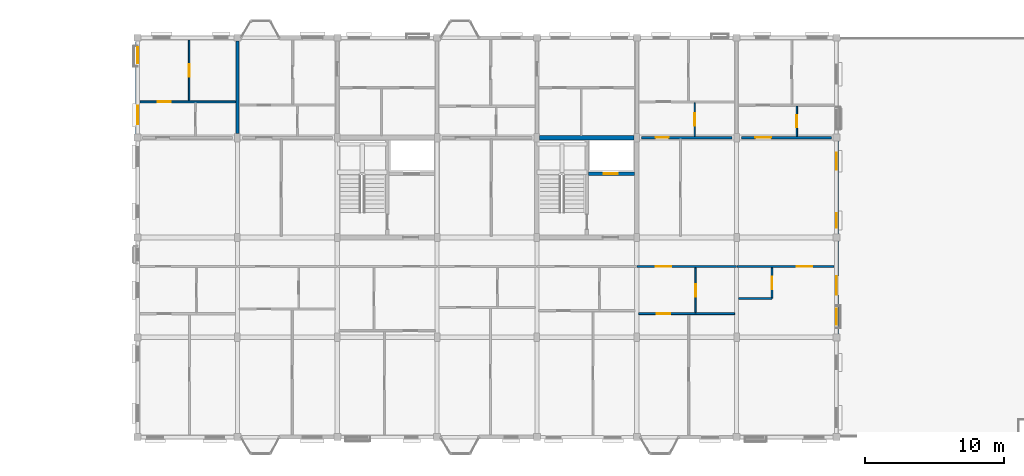
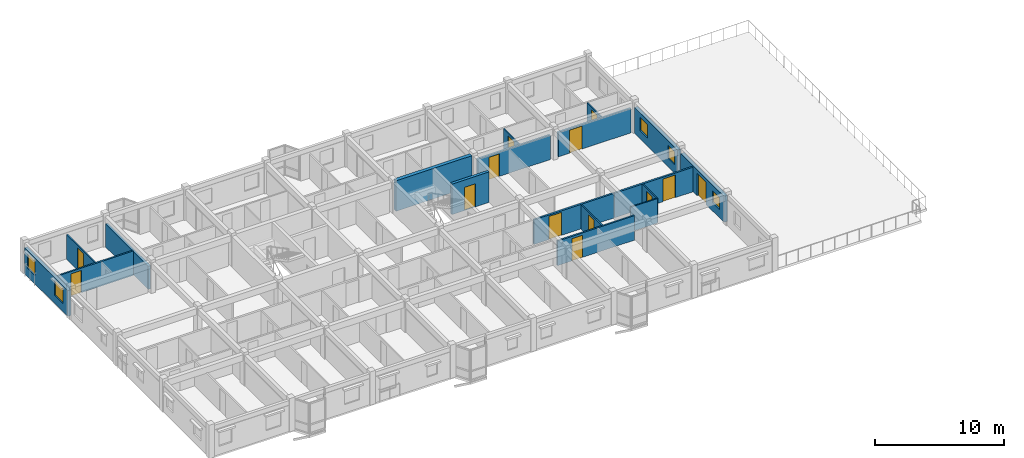
# One storey, part 55 of 64: 18 walls, 13 doors, 5 windows, 18 openings.
"""IFC4 building model written with IfcOpenShell, lengths in metres."""

from ifc_helpers import new_model, si_unit, direction, frame, frame_2d, origin, place, context, subcontext, project, spatial, rectangle, extrude, material, layer, layer_set, type_object, element, fill, save


model = new_model("IFC4")

# Units and contexts
model_context = context("Model", 3, precision=1e-05, world=origin(), true_north=direction((0.0, 1.0)))
body_context = subcontext(model_context, "Body", "Model", "MODEL_VIEW")
ifc_project = project(units=[si_unit("LENGTHUNIT", "METRE"), si_unit("AREAUNIT", "SQUARE_METRE"), si_unit("VOLUMEUNIT", "CUBIC_METRE"), si_unit("PLANEANGLEUNIT", "RADIAN"), si_unit("MASSUNIT", "GRAM", prefix="KILO"), si_unit("THERMODYNAMICTEMPERATUREUNIT", "KELVIN"), si_unit("POWERUNIT", "WATT")], contexts=[model_context])

# Site, building, storey
site_placement = place(None, origin())
site = spatial("IfcSite", under=ifc_project, at=site_placement, CompositionType="ELEMENT")
building_placement = place(site_placement, origin())
building = spatial("IfcBuilding", under=site, at=building_placement, Name="Tavuni Mirador Residences", CompositionType="ELEMENT")
storey_placement = place(building_placement, frame((0.0, 0.0, 26.550048828125)))
storey = spatial("IfcBuildingStorey", under=building, at=storey_placement, Name="L08", CompositionType="ELEMENT", Elevation=26.550048828125)

# Wall, opening, door
ifc_material_1 = material(Name="Precast concrete C40/50", Category="concrete")
ifc_layer_1 = layer(ifc_material_1, 0.25, Name="Precast concrete C40/50", Category="concrete")
ifc_layer_set_1 = layer_set([ifc_layer_1], Name="Precast concrete C40/50")
wall_type_1 = type_object("IfcWallType", Name="WT-COR250", PredefinedType="SHEAR", material=ifc_layer_set_1)
wall_1_placement = place(storey_placement, frame((43.324951171875, 163.0, 0.0), z_axis=(0.0, 0.0, 1.0), x_axis=(1.0, 0.0, 0.0)))
wall_1 = element("IfcWall", 1, at=wall_1_placement, inside=storey, type_object=wall_type_1, Name="CWALL-C6-L08-SHF", PredefinedType="SHEAR", context=body_context, shape_type="SweptSolid", body=[
    extrude(rectangle(XDim=3.31494140625, YDim=0.25, at=frame_2d((1.657470703125, 0.0))), origin(), (0.0, 0.0, 1.0), 2.885009765625),
])
opening_1_placement = place(wall_1_placement, frame((1.10009765625, 0.0, 0.0)))
opening_1 = element("IfcOpeningElement", 2, at=opening_1_placement, cuts=wall_1, Name="Opening LD-02", PredefinedType="OPENING", context=body_context, shape_type="SweptSolid", body=[
    extrude(rectangle(XDim=1.0, YDim=2.199951171875, at=frame_2d((0.5, 1.10009765625))), frame((0.0, 0.135009765625, 0.0), z_axis=(0.0, -1.0, 0.0), x_axis=(1.0, 0.0, 0.0)), (0.0, 0.0, 1.0), 0.27001953125),
])
ifc_material_2 = material(Name="Structural steel S355", Category="steel")
door_type_1 = type_object("IfcDoorType", Name="DT-LD-PAX", OperationType="SLIDING_TO_LEFT", PredefinedType="DOOR", material=ifc_material_2)
door_1_placement = place(opening_1_placement, origin())
door_1 = element("IfcDoor", 3, at=door_1_placement, inside=storey, type_object=door_type_1, Name="Lift landing door PL-C1 L08", OperationType="SLIDING_TO_LEFT", OverallHeight=2.199951171875, OverallWidth=1.0, PredefinedType="DOOR", context=body_context, shape_type="SweptSolid", body=[
    extrude(rectangle(XDim=1.0, YDim=2.199951171875, at=frame_2d((0.5, 1.10009765625))), frame((0.0, 0.02490234375, 0.0), z_axis=(0.0, -1.0, 0.0), x_axis=(1.0, 0.0, 0.0)), (0.0, 0.0, 1.0), 0.050048828125),
])
fill(opening_1, door_1)

# Wall
ifc_layer_2 = layer(ifc_material_1, 0.320068359375, Name="Precast concrete C40/50", Category="concrete")
ifc_layer_set_2 = layer_set([ifc_layer_2], Name="Precast concrete C40/50")
wall_type_2 = type_object("IfcWallType", Name="WT-COR320", PredefinedType="SHEAR", material=ifc_layer_set_2)
wall_2_placement = place(storey_placement, frame((39.800048828125, 165.60009765625, 0.0), z_axis=(0.0, 0.0, 1.0), x_axis=(1.0, 0.0, 0.0)))
element("IfcWall", 4, at=wall_2_placement, inside=storey, type_object=wall_type_2, Name="CWALL-C6-L08-N", PredefinedType="SHEAR", context=body_context, shape_type="SweptSolid", body=[
    extrude(rectangle(XDim=6.800048828125, YDim=0.320068359375, at=frame_2d((3.39990234375, 0.0))), origin(), (0.0, 0.0, 1.0), 2.885009765625),
])

# Wall, opening, door
ifc_layer_3 = layer(ifc_material_1, 0.1650390625, Name="Precast concrete C40/50", Category="concrete")
ifc_layer_set_3 = layer_set([ifc_layer_3], Name="Precast concrete C40/50")
wall_type_3 = type_object("IfcWallType", Name="WT-CORR165", PredefinedType="PARTITIONING", material=ifc_layer_set_3)
wall_3_placement = place(storey_placement, frame((46.820068359375, 156.300048828125, 0.0), z_axis=(0.0, 0.0, 1.0), x_axis=(1.0, 0.0, 0.0)))
wall_3 = element("IfcWall", 5, at=wall_3_placement, inside=storey, type_object=wall_type_3, Name="CORW-BLK-C-L08-0-05", PredefinedType="PARTITIONING", context=body_context, shape_type="SweptSolid", body=[
    extrude(rectangle(XDim=7.159912109375, YDim=0.1650390625, at=frame_2d((3.580078125, 0.0))), origin(), (0.0, 0.0, 1.0), 2.320068359375),
])
opening_2_placement = place(wall_3_placement, frame((1.330078125, 0.0, 0.0)))
opening_2 = element("IfcOpeningElement", 6, at=opening_2_placement, cuts=wall_3, Name="Opening D-20", PredefinedType="OPENING", context=body_context, shape_type="SweptSolid", body=[
    extrude(rectangle(XDim=1.139892578125, YDim=2.179931640625, at=frame_2d((0.56982421875, 1.08984375))), frame((0.0, 0.092529296875, 0.0), z_axis=(0.0, -1.0, 0.0), x_axis=(1.0, 0.0, 0.0)), (0.0, 0.0, 1.0), 0.18505859375),
])
ifc_material_3 = material(Name="Solid core iroko timber", Category="wood")
door_type_2 = type_object("IfcDoorType", Name="DT-FD60-1140", OperationType="NOTDEFINED", PredefinedType="DOOR", material=ifc_material_3)
door_2_placement = place(opening_2_placement, origin())
door_2 = element("IfcDoor", 7, at=door_2_placement, inside=storey, type_object=door_type_2, Name="DR-2744", OperationType="SINGLE_SWING_LEFT", OverallHeight=2.179931640625, OverallWidth=1.139892578125, PredefinedType="DOOR", context=body_context, shape_type="SweptSolid", body=[
    extrude(rectangle(XDim=1.139892578125, YDim=2.179931640625, at=frame_2d((0.56982421875, 1.08984375))), frame((0.0, 0.02490234375, 0.0), z_axis=(0.0, -1.0, 0.0), x_axis=(1.0, 0.0, 0.0)), (0.0, 0.0, 1.0), 0.050048828125),
])
fill(opening_2, door_2)

wall_4_placement = place(storey_placement, frame((54.02001953125, 156.300048828125, 0.0), z_axis=(0.0, 0.0, 1.0), x_axis=(1.0, 0.0, 0.0)))
wall_4 = element("IfcWall", 8, at=wall_4_placement, inside=storey, type_object=wall_type_3, Name="CORW-BLK-C-L08-0-06", PredefinedType="PARTITIONING", context=body_context, shape_type="SweptSolid", body=[
    extrude(rectangle(XDim=7.0048828125, YDim=0.1650390625, at=frame_2d((3.50244140625, 0.0))), origin(), (0.0, 0.0, 1.0), 2.320068359375),
])
opening_3_placement = place(wall_4_placement, frame((4.330078125, 0.0, 0.0)))
opening_3 = element("IfcOpeningElement", 9, at=opening_3_placement, cuts=wall_4, Name="Opening D-02", PredefinedType="OPENING", context=body_context, shape_type="SweptSolid", body=[
    extrude(rectangle(XDim=1.10009765625, YDim=2.14990234375, at=frame_2d((0.550048828125, 1.074951171875))), frame((0.0, 0.092529296875, 0.0), z_axis=(0.0, -1.0, 0.0), x_axis=(1.0, 0.0, 0.0)), (0.0, 0.0, 1.0), 0.18505859375),
])
door_type_3 = type_object("IfcDoorType", Name="DT-LOB1100", OperationType="NOTDEFINED", PredefinedType="DOOR", material=ifc_material_3)
door_3_placement = place(opening_3_placement, origin())
door_3 = element("IfcDoor", 10, at=door_3_placement, inside=storey, type_object=door_type_3, Name="DR-2745", OperationType="SINGLE_SWING_RIGHT", OverallHeight=2.14990234375, OverallWidth=1.10009765625, PredefinedType="DOOR", context=body_context, shape_type="SweptSolid", body=[
    extrude(rectangle(XDim=1.10009765625, YDim=2.14990234375, at=frame_2d((0.550048828125, 1.074951171875))), frame((0.0, 0.02490234375, 0.0), z_axis=(0.0, -1.0, 0.0), x_axis=(1.0, 0.0, 0.0)), (0.0, 0.0, 1.0), 0.050048828125),
])
fill(opening_3, door_3)

wall_5_placement = place(storey_placement, frame((47.14990234375, 165.60009765625, 0.0), z_axis=(0.0, 0.0, 1.0), x_axis=(1.0, 0.0, 0.0)))
wall_5 = element("IfcWall", 11, at=wall_5_placement, inside=storey, type_object=wall_type_3, Name="CORW-BLK-C-L08-1-05", PredefinedType="PARTITIONING", context=body_context, shape_type="SweptSolid", body=[
    extrude(rectangle(XDim=6.5, YDim=0.1650390625, at=frame_2d((3.25, 0.0))), origin(), (0.0, 0.0, 1.0), 2.320068359375),
])
opening_4_placement = place(wall_5_placement, frame((1.0, 0.0, 0.0)))
opening_4 = element("IfcOpeningElement", 12, at=opening_4_placement, cuts=wall_5, Name="Opening D-19", PredefinedType="OPENING", context=body_context, shape_type="SweptSolid", body=[
    extrude(rectangle(XDim=0.93994140625, YDim=2.1201171875, at=frame_2d((0.469970703125, 1.06005859375))), frame((0.0, 0.092529296875, 0.0), z_axis=(0.0, -1.0, 0.0), x_axis=(1.0, 0.0, 0.0)), (0.0, 0.0, 1.0), 0.18505859375),
])
door_type_4 = type_object("IfcDoorType", Name="DT-FD60-940", OperationType="NOTDEFINED", PredefinedType="DOOR", material=ifc_material_3)
door_4_placement = place(opening_4_placement, origin())
door_4 = element("IfcDoor", 13, at=door_4_placement, inside=storey, type_object=door_type_4, Name="DR-2749", OperationType="SINGLE_SWING_RIGHT", OverallHeight=2.1201171875, OverallWidth=0.93994140625, PredefinedType="DOOR", context=body_context, shape_type="SweptSolid", body=[
    extrude(rectangle(XDim=0.93994140625, YDim=2.1201171875, at=frame_2d((0.469970703125, 1.06005859375))), frame((0.0, 0.02490234375, 0.0), z_axis=(0.0, -1.0, 0.0), x_axis=(1.0, 0.0, 0.0)), (0.0, 0.0, 1.0), 0.050048828125),
])
fill(opening_4, door_4)

wall_6_placement = place(storey_placement, frame((54.35009765625, 165.60009765625, 0.0), z_axis=(0.0, 0.0, 1.0), x_axis=(1.0, 0.0, 0.0)))
wall_6 = element("IfcWall", 14, at=wall_6_placement, inside=storey, type_object=wall_type_3, Name="CORW-BLK-C-L08-1-06", PredefinedType="PARTITIONING", context=body_context, shape_type="SweptSolid", body=[
    extrude(rectangle(XDim=6.5, YDim=0.1650390625, at=frame_2d((3.25, 0.0))), origin(), (0.0, 0.0, 1.0), 2.320068359375),
])
opening_5_placement = place(wall_6_placement, frame((1.0, 0.0, 0.0)))
opening_5 = element("IfcOpeningElement", 15, at=opening_5_placement, cuts=wall_6, Name="Opening D-20", PredefinedType="OPENING", context=body_context, shape_type="SweptSolid", body=[
    extrude(rectangle(XDim=1.139892578125, YDim=2.179931640625, at=frame_2d((0.56982421875, 1.08984375))), frame((0.0, 0.092529296875, 0.0), z_axis=(0.0, -1.0, 0.0), x_axis=(1.0, 0.0, 0.0)), (0.0, 0.0, 1.0), 0.18505859375),
])
door_5_placement = place(opening_5_placement, origin())
door_5 = element("IfcDoor", 16, at=door_5_placement, inside=storey, type_object=door_type_2, Name="DR-2750", OperationType="SINGLE_SWING_LEFT", OverallHeight=2.179931640625, OverallWidth=1.139892578125, PredefinedType="DOOR", context=body_context, shape_type="SweptSolid", body=[
    extrude(rectangle(XDim=1.139892578125, YDim=2.179931640625, at=frame_2d((0.56982421875, 1.08984375))), frame((0.0, 0.02490234375, 0.0), z_axis=(0.0, -1.0, 0.0), x_axis=(1.0, 0.0, 0.0)), (0.0, 0.0, 1.0), 0.050048828125),
])
fill(opening_5, door_5)

# Wall, openings, windows
ifc_material_4 = material(Name="Sgraffito lime-rendered precast concrete C40/50", Category="concrete")
ifc_layer_4 = layer(ifc_material_4, 0.27490234375, Name="Sgraffito lime-rendered precast concrete C40/50", Category="concrete")
ifc_layer_set_4 = layer_set([ifc_layer_4], Name="Sgraffito lime-rendered precast concrete C40/50")
wall_type_4 = type_object("IfcWallType", Name="WT-EXT-PC275", PredefinedType="SOLIDWALL", material=ifc_layer_set_4)
wall_7_placement = place(storey_placement, frame((10.800048828125, 172.550048828125, 0.0), z_axis=(0.0, 0.0, 1.0), x_axis=(0.0, -1.0, 0.0)))
wall_7 = element("IfcWall", 17, at=wall_7_placement, inside=storey, type_object=wall_type_4, Name="EW-BLK-C-L08-W03", PredefinedType="SOLIDWALL", context=body_context, shape_type="SweptSolid", body=[
    extrude(rectangle(XDim=6.699951171875, YDim=0.27490234375, at=frame_2d((3.35009765625, 0.0))), origin(), (0.0, 0.0, 1.0), 2.454833984375),
])
opening_6_placement = place(wall_7_placement, frame((0.449951171875, 0.0, 0.780029296875)))
opening_6 = element("IfcOpeningElement", 18, at=opening_6_placement, cuts=wall_7, Name="Opening WN-27", PredefinedType="OPENING", context=body_context, shape_type="SweptSolid", body=[
    extrude(rectangle(XDim=1.14990234375, YDim=1.43994140625, at=frame_2d((0.574951171875, 0.719970703125))), frame((0.0, 0.1474609375, 0.0), z_axis=(0.0, -1.0, 0.0), x_axis=(1.0, 0.0, 0.0)), (0.0, 0.0, 1.0), 0.294921875),
])
opening_7_placement = place(wall_7_placement, frame((4.64990234375, 0.0, 0.780029296875)))
opening_7 = element("IfcOpeningElement", 19, at=opening_7_placement, cuts=wall_7, Name="Opening WN-29", PredefinedType="OPENING", context=body_context, shape_type="SweptSolid", body=[
    extrude(rectangle(XDim=1.35009765625, YDim=1.43994140625, at=frame_2d((0.675048828125, 0.719970703125))), frame((0.0, 0.1474609375, 0.0), z_axis=(0.0, -1.0, 0.0), x_axis=(1.0, 0.0, 0.0)), (0.0, 0.0, 1.0), 0.294921875),
])
ifc_material_5 = material(Name="Laminated solar-control glass", Category="glass")
window_type_1 = type_object("IfcWindowType", Name="WNT-27", PartitioningType="SINGLE_PANEL", PredefinedType="WINDOW", material=ifc_material_5)
window_1_placement = place(opening_6_placement, origin())
window_1 = element("IfcWindow", 20, at=window_1_placement, inside=storey, type_object=window_type_1, Name="WIN-1218", OverallHeight=1.43994140625, OverallWidth=1.14990234375, PartitioningType="SINGLE_PANEL", PredefinedType="WINDOW", context=body_context, shape_type="SweptSolid", body=[
    extrude(rectangle(XDim=1.14990234375, YDim=1.43994140625, at=frame_2d((0.574951171875, 0.719970703125))), frame((0.0, 0.030029296875, 0.0), z_axis=(0.0, -1.0, 0.0), x_axis=(1.0, 0.0, 0.0)), (0.0, 0.0, 1.0), 0.06005859375),
])
fill(opening_6, window_1)
window_type_2 = type_object("IfcWindowType", Name="WNT-29", PartitioningType="SINGLE_PANEL", PredefinedType="WINDOW", material=ifc_material_5)
window_2_placement = place(opening_7_placement, origin())
window_2 = element("IfcWindow", 21, at=window_2_placement, inside=storey, type_object=window_type_2, Name="WIN-1219", OverallHeight=1.43994140625, OverallWidth=1.35009765625, PartitioningType="SINGLE_PANEL", PredefinedType="WINDOW", context=body_context, shape_type="SweptSolid", body=[
    extrude(rectangle(XDim=1.35009765625, YDim=1.43994140625, at=frame_2d((0.675048828125, 0.719970703125))), frame((0.0, 0.030029296875, 0.0), z_axis=(0.0, -1.0, 0.0), x_axis=(1.0, 0.0, 0.0)), (0.0, 0.0, 1.0), 0.06005859375),
])
fill(opening_7, window_2)

ifc_layer_5 = layer(ifc_material_4, 0.2900390625, Name="Sgraffito lime-rendered precast concrete C40/50", Category="concrete")
ifc_layer_set_5 = layer_set([ifc_layer_5], Name="Sgraffito lime-rendered precast concrete C40/50")
wall_type_5 = type_object("IfcWallType", Name="WT-EXT-PC290", PredefinedType="SOLIDWALL", material=ifc_layer_set_5)
wall_8_placement = place(storey_placement, frame((61.199951171875, 158.64990234375, 0.0), z_axis=(0.0, 0.0, 1.0), x_axis=(0.0, 1.0, 0.0)))
wall_8 = element("IfcWall", 22, at=wall_8_placement, inside=storey, type_object=wall_type_5, Name="EW-BLK-C-L08-E02", PredefinedType="SOLIDWALL", context=body_context, shape_type="SweptSolid", body=[
    extrude(rectangle(XDim=6.7001953125, YDim=0.2900390625, at=frame_2d((3.35009765625, 0.0))), origin(), (0.0, 0.0, 1.0), 2.454833984375),
])
opening_8_placement = place(wall_8_placement, frame((0.449951171875, 0.0, 0.780029296875)))
opening_8 = element("IfcOpeningElement", 23, at=opening_8_placement, cuts=wall_8, Name="Opening WN-11", PredefinedType="OPENING", context=body_context, shape_type="SweptSolid", body=[
    extrude(rectangle(XDim=1.0400390625, YDim=1.260009765625, at=frame_2d((0.52001953125, 0.6298828125))), frame((0.0, 0.155029296875, 0.0), z_axis=(0.0, -1.0, 0.0), x_axis=(1.0, 0.0, 0.0)), (0.0, 0.0, 1.0), 0.31005859375),
])
opening_9_placement = place(wall_8_placement, frame((4.64990234375, 0.0, 0.780029296875)))
opening_9 = element("IfcOpeningElement", 24, at=opening_9_placement, cuts=wall_8, Name="Opening WN-13", PredefinedType="OPENING", context=body_context, shape_type="SweptSolid", body=[
    extrude(rectangle(XDim=1.199951171875, YDim=1.260009765625, at=frame_2d((0.60009765625, 0.6298828125))), frame((0.0, 0.155029296875, 0.0), z_axis=(0.0, -1.0, 0.0), x_axis=(1.0, 0.0, 0.0)), (0.0, 0.0, 1.0), 0.31005859375),
])
window_type_3 = type_object("IfcWindowType", Name="WNT-11", PartitioningType="SINGLE_PANEL", PredefinedType="WINDOW", material=ifc_material_5)
window_3_placement = place(opening_8_placement, origin())
window_3 = element("IfcWindow", 25, at=window_3_placement, inside=storey, type_object=window_type_3, Name="WIN-1202", OverallHeight=1.260009765625, OverallWidth=1.0400390625, PartitioningType="SINGLE_PANEL", PredefinedType="WINDOW", context=body_context, shape_type="SweptSolid", body=[
    extrude(rectangle(XDim=1.0400390625, YDim=1.260009765625, at=frame_2d((0.52001953125, 0.6298828125))), frame((0.0, 0.030029296875, 0.0), z_axis=(0.0, -1.0, 0.0), x_axis=(1.0, 0.0, 0.0)), (0.0, 0.0, 1.0), 0.06005859375),
])
fill(opening_8, window_3)
window_type_4 = type_object("IfcWindowType", Name="WNT-13", PartitioningType="SINGLE_PANEL", PredefinedType="WINDOW", material=ifc_material_5)
window_4_placement = place(opening_9_placement, origin())
window_4 = element("IfcWindow", 26, at=window_4_placement, inside=storey, type_object=window_type_4, Name="WIN-1203", OverallHeight=1.260009765625, OverallWidth=1.199951171875, PartitioningType="SINGLE_PANEL", PredefinedType="WINDOW", context=body_context, shape_type="SweptSolid", body=[
    extrude(rectangle(XDim=1.199951171875, YDim=1.260009765625, at=frame_2d((0.60009765625, 0.6298828125))), frame((0.0, 0.030029296875, 0.0), z_axis=(0.0, -1.0, 0.0), x_axis=(1.0, 0.0, 0.0)), (0.0, 0.0, 1.0), 0.06005859375),
])
fill(opening_9, window_4)

# Wall, openings, door, window
ifc_layer_6 = layer(ifc_material_4, 0.304931640625, Name="Sgraffito lime-rendered precast concrete C40/50", Category="concrete")
ifc_layer_set_6 = layer_set([ifc_layer_6], Name="Sgraffito lime-rendered precast concrete C40/50")
wall_type_6 = type_object("IfcWallType", Name="WT-EXT-PC305", PredefinedType="SOLIDWALL", material=ifc_layer_set_6)
wall_9_placement = place(storey_placement, frame((61.199951171875, 151.449951171875, 0.0), z_axis=(0.0, 0.0, 1.0), x_axis=(0.0, 1.0, 0.0)))
wall_9 = element("IfcWall", 27, at=wall_9_placement, inside=storey, type_object=wall_type_6, Name="EW-BLK-C-L08-E01", PredefinedType="SOLIDWALL", context=body_context, shape_type="SweptSolid", body=[
    extrude(rectangle(XDim=6.699951171875, YDim=0.304931640625, at=frame_2d((3.35009765625, 0.0))), origin(), (0.0, 0.0, 1.0), 2.454833984375),
])
opening_10_placement = place(wall_9_placement, frame((2.800048828125, 0.0, 0.0)))
opening_10 = element("IfcOpeningElement", 28, at=opening_10_placement, cuts=wall_9, Name="Opening TD-04", PredefinedType="OPENING", context=body_context, shape_type="SweptSolid", body=[
    extrude(rectangle(XDim=1.360107421875, YDim=2.1201171875, at=frame_2d((0.68017578125, 1.06005859375))), frame((0.0, 0.16259765625, 0.0), z_axis=(0.0, -1.0, 0.0), x_axis=(1.0, 0.0, 0.0)), (0.0, 0.0, 1.0), 0.324951171875),
])
opening_11_placement = place(wall_9_placement, frame((0.64990234375, 0.0, 0.780029296875)))
opening_11 = element("IfcOpeningElement", 29, at=opening_11_placement, cuts=wall_9, Name="Opening WN-05", PredefinedType="OPENING", context=body_context, shape_type="SweptSolid", body=[
    extrude(rectangle(XDim=1.159912109375, YDim=1.14990234375, at=frame_2d((0.580078125, 0.574951171875))), frame((0.0, 0.16259765625, 0.0), z_axis=(0.0, -1.0, 0.0), x_axis=(1.0, 0.0, 0.0)), (0.0, 0.0, 1.0), 0.324951171875),
])
ifc_material_6 = material(Name="Anodised aluminium", Category="aluminium")
door_type_5 = type_object("IfcDoorType", Name="DT-TER1360", OperationType="NOTDEFINED", PredefinedType="DOOR", material=ifc_material_6)
door_6_placement = place(opening_10_placement, frame((1.360107421875, 0.0, 0.0), z_axis=(0.0, 0.0, 1.0), x_axis=(-1.0, 0.0, 0.0)))
door_6 = element("IfcDoor", 30, at=door_6_placement, inside=storey, type_object=door_type_5, Name="DR-0013", OperationType="SINGLE_SWING_RIGHT", OverallHeight=2.1201171875, OverallWidth=1.360107421875, PredefinedType="DOOR", context=body_context, shape_type="SweptSolid", body=[
    extrude(rectangle(XDim=1.360107421875, YDim=2.1201171875, at=frame_2d((0.68017578125, 1.06005859375))), frame((0.0, 0.02490234375, 0.0), z_axis=(0.0, -1.0, 0.0), x_axis=(1.0, 0.0, 0.0)), (0.0, 0.0, 1.0), 0.050048828125),
])
fill(opening_10, door_6)
window_type_5 = type_object("IfcWindowType", Name="WNT-05", PartitioningType="SINGLE_PANEL", PredefinedType="WINDOW", material=ifc_material_5)
window_5_placement = place(opening_11_placement, origin())
window_5 = element("IfcWindow", 31, at=window_5_placement, inside=storey, type_object=window_type_5, Name="WIN-1201", OverallHeight=1.14990234375, OverallWidth=1.159912109375, PartitioningType="SINGLE_PANEL", PredefinedType="WINDOW", context=body_context, shape_type="SweptSolid", body=[
    extrude(rectangle(XDim=1.159912109375, YDim=1.14990234375, at=frame_2d((0.580078125, 0.574951171875))), frame((0.0, 0.030029296875, 0.0), z_axis=(0.0, -1.0, 0.0), x_axis=(1.0, 0.0, 0.0)), (0.0, 0.0, 1.0), 0.06005859375),
])
fill(opening_11, window_5)

# Wall, opening, door
ifc_material_7 = material(Name="Acoustic gypsum and concrete block partition", Category="concrete")
ifc_layer_7 = layer(ifc_material_7, 0.094970703125, Name="Acoustic gypsum and concrete block partition", Category="concrete")
ifc_layer_set_7 = layer_set([ifc_layer_7], Name="Acoustic gypsum and concrete block partition")
wall_type_7 = type_object("IfcWallType", Name="WT-PART095", PredefinedType="PARTITIONING", material=ifc_layer_set_7)
wall_10_placement = place(storey_placement, frame((50.97998046875, 165.68994140625, 0.0), z_axis=(0.0, 0.0, 1.0), x_axis=(0.0, 1.0, 0.0)))
wall_10 = element("IfcWall", 32, at=wall_10_placement, inside=storey, type_object=wall_type_7, Name="PW-BLK-C-L08-N05-IN1", PredefinedType="PARTITIONING", context=body_context, shape_type="SweptSolid", body=[
    extrude(rectangle(XDim=2.420166015625, YDim=0.094970703125, at=frame_2d((1.2099609375, 0.0))), origin(), (0.0, 0.0, 1.0), 2.320068359375),
])
opening_12_placement = place(wall_10_placement, frame((0.760009765625, 0.0, 0.0)))
opening_12 = element("IfcOpeningElement", 33, at=opening_12_placement, cuts=wall_10, Name="Opening D-09", PredefinedType="OPENING", context=body_context, shape_type="SweptSolid", body=[
    extrude(rectangle(XDim=0.89990234375, YDim=2.050048828125, at=frame_2d((0.449951171875, 1.02490234375))), frame((0.0, 0.0576171875, 0.0), z_axis=(0.0, -1.0, 0.0), x_axis=(1.0, 0.0, 0.0)), (0.0, 0.0, 1.0), 0.114990234375),
])
door_type_6 = type_object("IfcDoorType", Name="DT-WC900", OperationType="NOTDEFINED", PredefinedType="DOOR", material=ifc_material_3)
door_7_placement = place(opening_12_placement, origin())
door_7 = element("IfcDoor", 34, at=door_7_placement, inside=storey, type_object=door_type_6, Name="DR-4107", OperationType="SINGLE_SWING_LEFT", OverallHeight=2.050048828125, OverallWidth=0.89990234375, PredefinedType="DOOR", context=body_context, shape_type="SweptSolid", body=[
    extrude(rectangle(XDim=0.89990234375, YDim=2.050048828125, at=frame_2d((0.449951171875, 1.02490234375))), frame((0.0, 0.02490234375, 0.0), z_axis=(0.0, -1.0, 0.0), x_axis=(1.0, 0.0, 0.0)), (0.0, 0.0, 1.0), 0.050048828125),
])
fill(opening_12, door_7)

ifc_layer_8 = layer(ifc_material_7, 0.10498046875, Name="Acoustic gypsum and concrete block partition", Category="concrete")
ifc_layer_set_8 = layer_set([ifc_layer_8], Name="Acoustic gypsum and concrete block partition")
wall_type_8 = type_object("IfcWallType", Name="WT-PART105", PredefinedType="PARTITIONING", material=ifc_layer_set_8)
wall_11_placement = place(storey_placement, frame((51.050048828125, 152.969970703125, 0.0), z_axis=(0.0, 0.0, 1.0), x_axis=(0.0, 1.0, 0.0)))
wall_11 = element("IfcWall", 35, at=wall_11_placement, inside=storey, type_object=wall_type_8, Name="PW-BLK-C-L08-S05-IN1", PredefinedType="PARTITIONING", context=body_context, shape_type="SweptSolid", body=[
    extrude(rectangle(XDim=3.239990234375, YDim=0.10498046875, at=frame_2d((1.6201171875, 0.0))), origin(), (0.0, 0.0, 1.0), 2.320068359375),
])
opening_13_placement = place(wall_11_placement, frame((1.169921875, 0.0, 0.0)))
opening_13 = element("IfcOpeningElement", 36, at=opening_13_placement, cuts=wall_11, Name="Opening D-09", PredefinedType="OPENING", context=body_context, shape_type="SweptSolid", body=[
    extrude(rectangle(XDim=0.89990234375, YDim=2.050048828125, at=frame_2d((0.449951171875, 1.02490234375))), frame((0.0, 0.0625, 0.0), z_axis=(0.0, -1.0, 0.0), x_axis=(1.0, 0.0, 0.0)), (0.0, 0.0, 1.0), 0.125),
])
door_8_placement = place(opening_13_placement, origin())
door_8 = element("IfcDoor", 37, at=door_8_placement, inside=storey, type_object=door_type_6, Name="DR-4104", OperationType="SINGLE_SWING_LEFT", OverallHeight=2.050048828125, OverallWidth=0.89990234375, PredefinedType="DOOR", context=body_context, shape_type="SweptSolid", body=[
    extrude(rectangle(XDim=0.89990234375, YDim=2.050048828125, at=frame_2d((0.449951171875, 1.02490234375))), frame((0.0, 0.02490234375, 0.0), z_axis=(0.0, -1.0, 0.0), x_axis=(1.0, 0.0, 0.0)), (0.0, 0.0, 1.0), 0.050048828125),
])
fill(opening_13, door_8)

wall_12_placement = place(storey_placement, frame((58.340087890625, 165.68994140625, 0.0), z_axis=(0.0, 0.0, 1.0), x_axis=(0.0, 1.0, 0.0)))
wall_12 = element("IfcWall", 38, at=wall_12_placement, inside=storey, type_object=wall_type_8, Name="PW-BLK-C-L08-N06-IN1", PredefinedType="PARTITIONING", context=body_context, shape_type="SweptSolid", body=[
    extrude(rectangle(XDim=2.18017578125, YDim=0.10498046875, at=frame_2d((1.090087890625, 0.0))), origin(), (0.0, 0.0, 1.0), 2.320068359375),
])
opening_14_placement = place(wall_12_placement, frame((0.655029296875, 0.0, 0.0)))
opening_14 = element("IfcOpeningElement", 39, at=opening_14_placement, cuts=wall_12, Name="Opening D-10", PredefinedType="OPENING", context=body_context, shape_type="SweptSolid", body=[
    extrude(rectangle(XDim=0.8701171875, YDim=2.050048828125, at=frame_2d((0.43505859375, 1.02490234375))), frame((0.0, 0.0625, 0.0), z_axis=(0.0, -1.0, 0.0), x_axis=(1.0, 0.0, 0.0)), (0.0, 0.0, 1.0), 0.125),
])
door_type_7 = type_object("IfcDoorType", Name="DT-WC870", OperationType="NOTDEFINED", PredefinedType="DOOR", material=ifc_material_3)
door_9_placement = place(opening_14_placement, origin())
door_9 = element("IfcDoor", 40, at=door_9_placement, inside=storey, type_object=door_type_7, Name="DR-4111", OperationType="SINGLE_SWING_RIGHT", OverallHeight=2.050048828125, OverallWidth=0.8701171875, PredefinedType="DOOR", context=body_context, shape_type="SweptSolid", body=[
    extrude(rectangle(XDim=0.8701171875, YDim=2.050048828125, at=frame_2d((0.43505859375, 1.02490234375))), frame((0.0, 0.02490234375, 0.0), z_axis=(0.0, -1.0, 0.0), x_axis=(1.0, 0.0, 0.0)), (0.0, 0.0, 1.0), 0.050048828125),
])
fill(opening_14, door_9)

ifc_layer_9 = layer(ifc_material_7, 0.114990234375, Name="Acoustic gypsum and concrete block partition", Category="concrete")
ifc_layer_set_9 = layer_set([ifc_layer_9], Name="Acoustic gypsum and concrete block partition")
wall_type_9 = type_object("IfcWallType", Name="WT-PART115", PredefinedType="PARTITIONING", material=ifc_layer_set_9)
wall_13_placement = place(storey_placement, frame((14.52001953125, 168.25, 0.0), z_axis=(0.0, 0.0, 1.0), x_axis=(0.0, 1.0, 0.0)))
wall_13 = element("IfcWall", 41, at=wall_13_placement, inside=storey, type_object=wall_type_9, Name="PW-BLK-C-L08-N00-OUT", PredefinedType="PARTITIONING", context=body_context, shape_type="SweptSolid", body=[
    extrude(rectangle(XDim=4.375, YDim=0.114990234375, at=frame_2d((2.1875, 0.0))), origin(), (0.0, 0.0, 1.0), 2.320068359375),
])
opening_15_placement = place(wall_13_placement, frame((1.737548828125, 0.0, 0.0)))
opening_15 = element("IfcOpeningElement", 42, at=opening_15_placement, cuts=wall_13, Name="Opening D-07", PredefinedType="OPENING", context=body_context, shape_type="SweptSolid", body=[
    extrude(rectangle(XDim=0.89990234375, YDim=2.10009765625, at=frame_2d((0.449951171875, 1.050048828125))), frame((0.0, 0.0673828125, 0.0), z_axis=(0.0, -1.0, 0.0), x_axis=(1.0, 0.0, 0.0)), (0.0, 0.0, 1.0), 0.135009765625),
])
door_type_8 = type_object("IfcDoorType", Name="DT-BED900", OperationType="NOTDEFINED", PredefinedType="DOOR", material=ifc_material_3)
door_10_placement = place(opening_15_placement, origin())
door_10 = element("IfcDoor", 43, at=door_10_placement, inside=storey, type_object=door_type_8, Name="DR-4075", OperationType="SINGLE_SWING_RIGHT", OverallHeight=2.10009765625, OverallWidth=0.89990234375, PredefinedType="DOOR", context=body_context, shape_type="SweptSolid", body=[
    extrude(rectangle(XDim=0.89990234375, YDim=2.10009765625, at=frame_2d((0.449951171875, 1.050048828125))), frame((0.0, 0.02490234375, 0.0), z_axis=(0.0, -1.0, 0.0), x_axis=(1.0, 0.0, 0.0)), (0.0, 0.0, 1.0), 0.050048828125),
])
fill(opening_15, door_10)

# Wall
wall_14_placement = place(storey_placement, frame((54.139892578125, 154.0, 0.0), z_axis=(0.0, 0.0, 1.0), x_axis=(1.0, 0.0, 0.0)))
element("IfcWall", 44, at=wall_14_placement, inside=storey, type_object=wall_type_9, Name="PW-BLK-C-L08-S06-1", PredefinedType="PARTITIONING", context=body_context, shape_type="SweptSolid", body=[
    extrude(rectangle(XDim=2.41015625, YDim=0.114990234375, at=frame_2d((1.205078125, 0.0))), origin(), (0.0, 0.0, 1.0), 2.320068359375),
])

# Wall, opening, door
ifc_layer_10 = layer(ifc_material_7, 0.125, Name="Acoustic gypsum and concrete block partition", Category="concrete")
ifc_layer_set_10 = layer_set([ifc_layer_10], Name="Acoustic gypsum and concrete block partition")
wall_type_10 = type_object("IfcWallType", Name="WT-PART125", PredefinedType="PARTITIONING", material=ifc_layer_set_10)
wall_15_placement = place(storey_placement, frame((56.550048828125, 154.0, 0.0), z_axis=(0.0, 0.0, 1.0), x_axis=(0.0, 1.0, 0.0)))
wall_15 = element("IfcWall", 45, at=wall_15_placement, inside=storey, type_object=wall_type_10, Name="PW-BLK-C-L08-S06-2", PredefinedType="PARTITIONING", context=body_context, shape_type="SweptSolid", body=[
    extrude(rectangle(XDim=2.2099609375, YDim=0.125, at=frame_2d((1.10498046875, 0.0))), origin(), (0.0, 0.0, 1.0), 2.320068359375),
])
opening_16_placement = place(wall_15_placement, frame((0.679931640625, 0.0, 0.0)))
opening_16 = element("IfcOpeningElement", 46, at=opening_16_placement, cuts=wall_15, Name="Opening D-10", PredefinedType="OPENING", context=body_context, shape_type="SweptSolid", body=[
    extrude(rectangle(XDim=0.8701171875, YDim=2.050048828125, at=frame_2d((0.43505859375, 1.02490234375))), frame((0.0, 0.072509765625, 0.0), z_axis=(0.0, -1.0, 0.0), x_axis=(1.0, 0.0, 0.0)), (0.0, 0.0, 1.0), 0.14501953125),
])
door_11_placement = place(opening_16_placement, origin())
door_11 = element("IfcDoor", 47, at=door_11_placement, inside=storey, type_object=door_type_7, Name="DR-4109", OperationType="SINGLE_SWING_RIGHT", OverallHeight=2.050048828125, OverallWidth=0.8701171875, PredefinedType="DOOR", context=body_context, shape_type="SweptSolid", body=[
    extrude(rectangle(XDim=0.8701171875, YDim=2.050048828125, at=frame_2d((0.43505859375, 1.02490234375))), frame((0.0, 0.02490234375, 0.0), z_axis=(0.0, -1.0, 0.0), x_axis=(1.0, 0.0, 0.0)), (0.0, 0.0, 1.0), 0.050048828125),
])
fill(opening_16, door_11)

ifc_layer_11 = layer(ifc_material_7, 0.139892578125, Name="Acoustic gypsum and concrete block partition", Category="concrete")
ifc_layer_set_11 = layer_set([ifc_layer_11], Name="Acoustic gypsum and concrete block partition")
wall_type_11 = type_object("IfcWallType", Name="WT-PART140", PredefinedType="PARTITIONING", material=ifc_layer_set_11)
wall_16_placement = place(storey_placement, frame((10.97509765625, 168.179931640625, 0.0), z_axis=(0.0, 0.0, 1.0), x_axis=(1.0, 0.0, 0.0)))
wall_16 = element("IfcWall", 48, at=wall_16_placement, inside=storey, type_object=wall_type_11, Name="PW-BLK-C-L08-N00-MID", PredefinedType="PARTITIONING", context=body_context, shape_type="SweptSolid", body=[
    extrude(rectangle(XDim=6.885009765625, YDim=0.139892578125, at=frame_2d((3.4423828125, 0.0))), origin(), (0.0, 0.0, 1.0), 2.320068359375),
])
opening_17_placement = place(wall_16_placement, frame((1.27490234375, 0.0, 0.0)))
opening_17 = element("IfcOpeningElement", 49, at=opening_17_placement, cuts=wall_16, Name="Opening D-05", PredefinedType="OPENING", context=body_context, shape_type="SweptSolid", body=[
    extrude(rectangle(XDim=0.949951171875, YDim=2.10009765625, at=frame_2d((0.47509765625, 1.050048828125))), frame((0.0, 0.080078125, 0.0), z_axis=(0.0, -1.0, 0.0), x_axis=(1.0, 0.0, 0.0)), (0.0, 0.0, 1.0), 0.159912109375),
])
door_type_9 = type_object("IfcDoorType", Name="DT-INT950", OperationType="NOTDEFINED", PredefinedType="DOOR", material=ifc_material_3)
door_12_placement = place(opening_17_placement, origin())
door_12 = element("IfcDoor", 50, at=door_12_placement, inside=storey, type_object=door_type_9, Name="DR-4077", OperationType="SINGLE_SWING_LEFT", OverallHeight=2.10009765625, OverallWidth=0.949951171875, PredefinedType="DOOR", context=body_context, shape_type="SweptSolid", body=[
    extrude(rectangle(XDim=0.949951171875, YDim=2.10009765625, at=frame_2d((0.47509765625, 1.050048828125))), frame((0.0, 0.02490234375, 0.0), z_axis=(0.0, -1.0, 0.0), x_axis=(1.0, 0.0, 0.0)), (0.0, 0.0, 1.0), 0.050048828125),
])
fill(opening_17, door_12)

wall_17_placement = place(storey_placement, frame((46.93994140625, 152.89990234375, 0.0), z_axis=(0.0, 0.0, 1.0), x_axis=(1.0, 0.0, 0.0)))
wall_17 = element("IfcWall", 51, at=wall_17_placement, inside=storey, type_object=wall_type_11, Name="PW-BLK-C-L08-S05-MID", PredefinedType="PARTITIONING", context=body_context, shape_type="SweptSolid", body=[
    extrude(rectangle(XDim=6.920166015625, YDim=0.139892578125, at=frame_2d((3.4599609375, 0.0))), origin(), (0.0, 0.0, 1.0), 2.320068359375),
])
opening_18_placement = place(wall_17_placement, frame((1.31005859375, 0.0, 0.0)))
opening_18 = element("IfcOpeningElement", 52, at=opening_18_placement, cuts=wall_17, Name="Opening D-05", PredefinedType="OPENING", context=body_context, shape_type="SweptSolid", body=[
    extrude(rectangle(XDim=0.949951171875, YDim=2.10009765625, at=frame_2d((0.47509765625, 1.050048828125))), frame((0.0, 0.080078125, 0.0), z_axis=(0.0, -1.0, 0.0), x_axis=(1.0, 0.0, 0.0)), (0.0, 0.0, 1.0), 0.159912109375),
])
door_13_placement = place(opening_18_placement, origin())
door_13 = element("IfcDoor", 53, at=door_13_placement, inside=storey, type_object=door_type_9, Name="DR-4105", OperationType="SINGLE_SWING_LEFT", OverallHeight=2.10009765625, OverallWidth=0.949951171875, PredefinedType="DOOR", context=body_context, shape_type="SweptSolid", body=[
    extrude(rectangle(XDim=0.949951171875, YDim=2.10009765625, at=frame_2d((0.47509765625, 1.050048828125))), frame((0.0, 0.02490234375, 0.0), z_axis=(0.0, -1.0, 0.0), x_axis=(1.0, 0.0, 0.0)), (0.0, 0.0, 1.0), 0.050048828125),
])
fill(opening_18, door_13)

# Wall
ifc_layer_12 = layer(ifc_material_1, 0.215087890625, Name="Precast concrete C40/50", Category="concrete")
ifc_layer_set_12 = layer_set([ifc_layer_12], Name="Precast concrete C40/50")
wall_type_12 = type_object("IfcWallType", Name="WT-XW215", PredefinedType="SOLIDWALL", material=ifc_layer_set_12)
wall_18_placement = place(storey_placement, frame((18.0, 165.89990234375, 0.0), z_axis=(0.0, 0.0, 1.0), x_axis=(0.0, 1.0, 0.0)))
element("IfcWall", 54, at=wall_18_placement, inside=storey, type_object=wall_type_12, Name="XW-BLK-C-L08-N-01", PredefinedType="SOLIDWALL", context=body_context, shape_type="SweptSolid", body=[
    extrude(rectangle(XDim=6.650146484375, YDim=0.215087890625, at=frame_2d((3.3251953125, 0.0))), origin(), (0.0, 0.0, 1.0), 2.18505859375),
])

save(model, "model.ifc")
